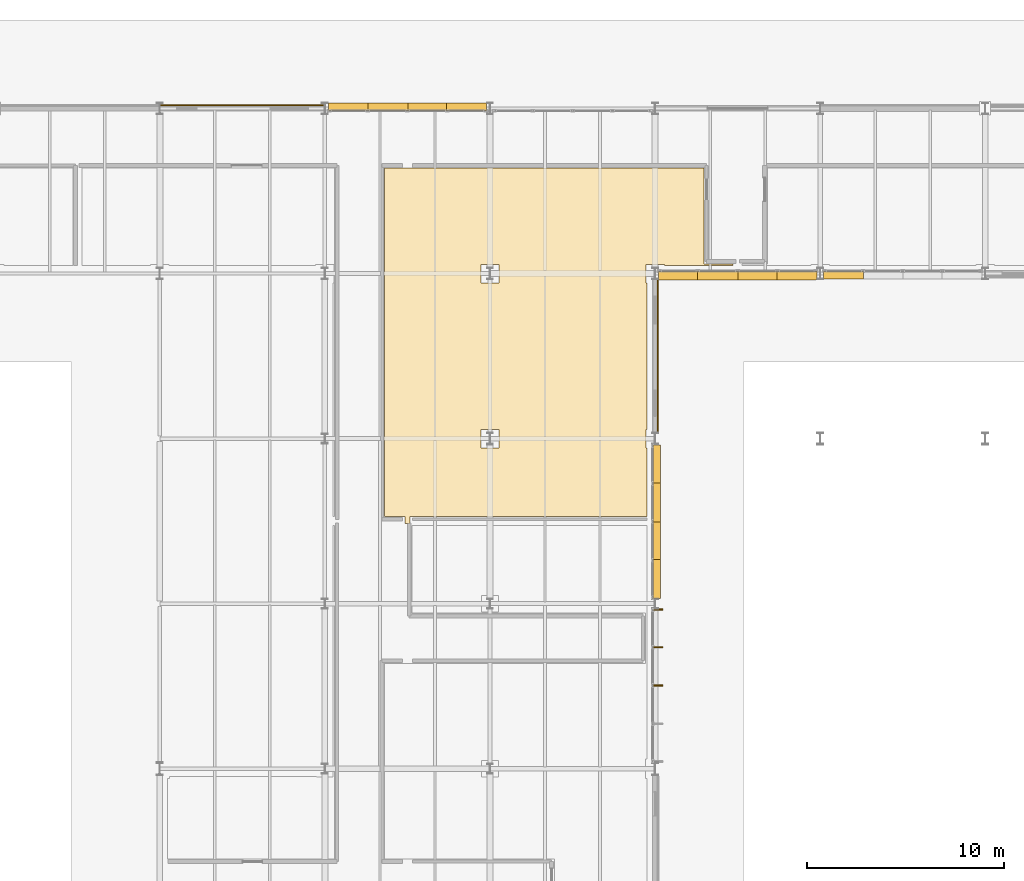
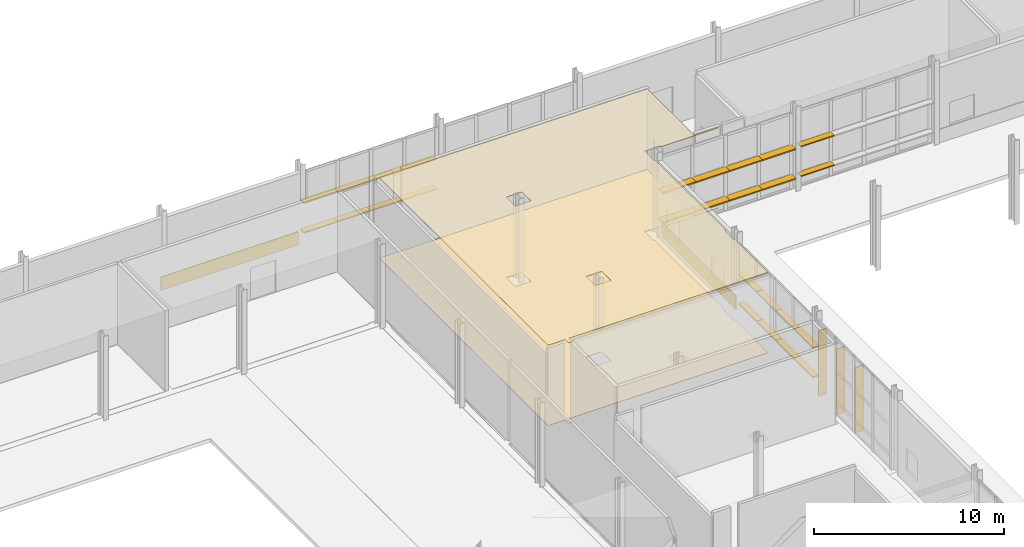
# One storey, part 115 of 124: 29 shading devices, 4 coverings.
"""IFC4 building model written with IfcOpenShell, lengths in metres."""

from ifc_helpers import new_model, si_unit, direction, frame, origin, origin_2d, place, context, subcontext, project, spatial, polyline, rectangle, outline, extrude, material, layer, layer_set, type_object, element, save


model = new_model("IFC4")

# Units and contexts
model_context = context("Model", 3, precision=1e-05, world=origin(), true_north=direction((0.0, 1.0)))
body_context = subcontext(model_context, "Body", "Model", "MODEL_VIEW")
ifc_project = project(units=[si_unit("LENGTHUNIT", "METRE"), si_unit("AREAUNIT", "SQUARE_METRE"), si_unit("VOLUMEUNIT", "CUBIC_METRE"), si_unit("PLANEANGLEUNIT", "RADIAN"), si_unit("MASSUNIT", "GRAM", prefix="KILO")], contexts=[model_context])

# Site, building, storey
site_placement = place(None, origin())
site = spatial("IfcSite", under=ifc_project, at=site_placement, CompositionType="ELEMENT")
building_placement = place(site_placement, origin())
building = spatial("IfcBuilding", under=site, at=building_placement, Name="Mersafa Astral City Hall", CompositionType="ELEMENT")
storey_placement = place(building_placement, origin())
storey = spatial("IfcBuildingStorey", under=building, at=storey_placement, Name="L00", CompositionType="ELEMENT", Elevation=0.0)

# Coverings
ifc_material_1 = material(Name="Cairo Mokattam buff limestone cladding", Category="masonry")
ifc_layer_1 = layer(ifc_material_1, 0.06005859375, Name="Cairo Mokattam buff limestone cladding")
ifc_layer_set_1 = layer_set([ifc_layer_1], Name="Cairo Mokattam buff limestone cladding — ENV-COV-LIMESTONE-60")
covering_type_1 = type_object("IfcCoveringType", Name="ENV-COV-LIMESTONE-60", PredefinedType="CLADDING", material=ifc_layer_set_1)
covering_1_placement = place(storey_placement, frame((117.739501953125, 113.39990234375, 0.0), z_axis=(0.0, 0.0, 1.0), x_axis=(0.0, 1.0, 0.0)))
element("IfcCovering", 1, at=covering_1_placement, inside=storey, type_object=covering_type_1, Name="L00 Cairo buff limestone rainscreen cladding 19", PredefinedType="CLADDING", context=body_context, shape_type="SweptSolid", body=[
    extrude(rectangle(XDim=7.748046875, YDim=0.06005859375, at=origin_2d()), origin(), (0.0, 0.0, 1.0), 0.860107421875),
])
covering_2_placement = place(storey_placement, frame((96.60009765625, 126.154541015625, 0.0), z_axis=(0.0, 0.0, 1.0), x_axis=(-1.0, 0.0, 0.0)))
element("IfcCovering", 2, at=covering_2_placement, inside=storey, type_object=covering_type_1, Name="L00 Cairo buff limestone rainscreen cladding 37", PredefinedType="CLADDING", context=body_context, shape_type="SweptSolid", body=[
    extrude(rectangle(XDim=8.323974609375, YDim=0.06005859375, at=origin_2d()), origin(), (0.0, 0.0, 1.0), 0.860107421875),
])

# Shading devices
ifc_material_2 = material(Name="Anodised bronze aluminium solar fin", Category="aluminium")
shading_device_type_1 = type_object("IfcShadingDeviceType", Name="ENV-SHD-FIN-500B", PredefinedType="USERDEFINED", material=ifc_material_2)
for number, where, z_axis, x_axis, name in (
    (3, (117.7451171875, 96.637451171875, -0.01513671875), (0.0, 0.0, 1.0), (0.0, 1.0, 0.0), "L00 Vertical bronze solar fin 74"),
    (4, (117.7451171875, 98.587646484375, -0.01513671875), (0.0, 0.0, 1.0), (0.0, 1.0, 0.0), "L00 Vertical bronze solar fin 75"),
    (5, (117.7451171875, 100.508056640625, -0.01513671875), (0.0, 0.0, 1.0), (0.0, 1.0, 0.0), "L00 Vertical bronze solar fin 76"),
):
    element("IfcShadingDevice", number, at=place(storey_placement, frame(where, z_axis=z_axis, x_axis=x_axis)), inside=storey, type_object=shading_device_type_1, Name=name, ObjectType="FIN", PredefinedType="USERDEFINED", context=body_context, shape_type="SweptSolid", body=[
        extrude(rectangle(XDim=0.06005859375, YDim=0.5, at=origin_2d()), origin(), (0.0, 0.0, 1.0), 4.199951171875),
    ])
ifc_material_3 = material(Name="Kiln-dried cedar timber brise-soleil blade", Category="wood")
shading_device_type_2 = type_object("IfcShadingDeviceType", Name="ENV-SHD-LOUVRE-380", PredefinedType="JALOUSIE", material=ifc_material_3)
shading_device_1_placement = place(storey_placement, frame((117.679931640625, 102.055419921875, 0.81494140625), z_axis=(0.0, 0.0, 1.0), x_axis=(0.0, 1.0, 0.0)))
element("IfcShadingDevice", 6, at=shading_device_1_placement, inside=storey, type_object=shading_device_type_2, Name="L00 Horizontal cedar brise-soleil louvre 77", PredefinedType="JALOUSIE", context=body_context, shape_type="SweptSolid", body=[
    extrude(rectangle(XDim=1.966552734375, YDim=0.3798828125, at=origin_2d()), origin(), (0.0, 0.0, 1.0), 0.070068359375),
])
for number, where, z_axis, x_axis, name in (
    (7, (117.679931640625, 103.996826171875, 0.81494140625), (0.0, 0.0, 1.0), (0.0, 1.0, 0.0), "L00 Horizontal cedar brise-soleil louvre 78"),
    (8, (117.679931640625, 105.953125, 0.81494140625), (0.0, 0.0, 1.0), (0.0, 1.0, 0.0), "L00 Horizontal cedar brise-soleil louvre 79"),
):
    element("IfcShadingDevice", number, at=place(storey_placement, frame(where, z_axis=z_axis, x_axis=x_axis)), inside=storey, type_object=shading_device_type_2, Name=name, PredefinedType="JALOUSIE", context=body_context, shape_type="SweptSolid", body=[
        extrude(rectangle(XDim=1.99658203125, YDim=0.3798828125, at=origin_2d()), origin(), (0.0, 0.0, 1.0), 0.070068359375),
    ])
for number, where, z_axis, x_axis, name in (
    (9, (117.679931640625, 107.894775390625, 0.81494140625), (0.0, 0.0, 1.0), (0.0, 1.0, 0.0), "L00 Horizontal cedar brise-soleil louvre 80"),
    (10, (117.679931640625, 102.055419921875, 2.71484375), (0.0, 0.0, 1.0), (0.0, 1.0, 0.0), "L00 Horizontal cedar brise-soleil louvre 81"),
):
    element("IfcShadingDevice", number, at=place(storey_placement, frame(where, z_axis=z_axis, x_axis=x_axis)), inside=storey, type_object=shading_device_type_2, Name=name, PredefinedType="JALOUSIE", context=body_context, shape_type="SweptSolid", body=[
        extrude(rectangle(XDim=1.966552734375, YDim=0.3798828125, at=origin_2d()), origin(), (0.0, 0.0, 1.0), 0.070068359375),
    ])
for number, where, z_axis, x_axis, name in (
    (11, (117.679931640625, 103.996826171875, 2.71484375), (0.0, 0.0, 1.0), (0.0, 1.0, 0.0), "L00 Horizontal cedar brise-soleil louvre 82"),
    (12, (117.679931640625, 105.953125, 2.71484375), (0.0, 0.0, 1.0), (0.0, 1.0, 0.0), "L00 Horizontal cedar brise-soleil louvre 83"),
):
    element("IfcShadingDevice", number, at=place(storey_placement, frame(where, z_axis=z_axis, x_axis=x_axis)), inside=storey, type_object=shading_device_type_2, Name=name, PredefinedType="JALOUSIE", context=body_context, shape_type="SweptSolid", body=[
        extrude(rectangle(XDim=1.99658203125, YDim=0.3798828125, at=origin_2d()), origin(), (0.0, 0.0, 1.0), 0.070068359375),
    ])
shading_device_2_placement = place(storey_placement, frame((117.679931640625, 107.894775390625, 2.71484375), z_axis=(0.0, 0.0, 1.0), x_axis=(0.0, 1.0, 0.0)))
element("IfcShadingDevice", 13, at=shading_device_2_placement, inside=storey, type_object=shading_device_type_2, Name="L00 Horizontal cedar brise-soleil louvre 84", PredefinedType="JALOUSIE", context=body_context, shape_type="SweptSolid", body=[
    extrude(rectangle(XDim=1.966552734375, YDim=0.3798828125, at=origin_2d()), origin(), (0.0, 0.0, 1.0), 0.070068359375),
])
for number, where, z_axis, x_axis, name in (
    (14, (127.1865234375, 117.52001953125, 0.81494140625), (0.0, 0.0, 1.0), (1.0, 0.0, 0.0), "L00 Horizontal cedar brise-soleil louvre 93"),
    (15, (127.1865234375, 117.52001953125, 2.71484375), (0.0, 0.0, 1.0), (1.0, 0.0, 0.0), "L00 Horizontal cedar brise-soleil louvre 97"),
    (16, (108.013427734375, 126.080078125, 0.81494140625), (0.0, 0.0, 1.0), (-1.0, 0.0, 0.0), "L00 Horizontal cedar brise-soleil louvre 206"),
):
    element("IfcShadingDevice", number, at=place(storey_placement, frame(where, z_axis=z_axis, x_axis=x_axis)), inside=storey, type_object=shading_device_type_2, Name=name, PredefinedType="JALOUSIE", context=body_context, shape_type="SweptSolid", body=[
        extrude(rectangle(XDim=2.029052734375, YDim=0.3798828125, at=origin_2d()), origin(), (0.0, 0.0, 1.0), 0.070068359375),
    ])
for number, where, z_axis, x_axis, name in (
    (17, (106.009521484375, 126.080078125, 0.81494140625), (0.0, 0.0, 1.0), (-1.0, 0.0, 0.0), "L00 Horizontal cedar brise-soleil louvre 207"),
    (18, (103.990478515625, 126.080078125, 0.81494140625), (0.0, 0.0, 1.0), (-1.0, 0.0, 0.0), "L00 Horizontal cedar brise-soleil louvre 208"),
):
    element("IfcShadingDevice", number, at=place(storey_placement, frame(where, z_axis=z_axis, x_axis=x_axis)), inside=storey, type_object=shading_device_type_2, Name=name, PredefinedType="JALOUSIE", context=body_context, shape_type="SweptSolid", body=[
        extrude(rectangle(XDim=2.05908203125, YDim=0.3798828125, at=origin_2d()), origin(), (0.0, 0.0, 1.0), 0.070068359375),
    ])
for number, where, z_axis, x_axis, name in (
    (19, (101.986572265625, 126.080078125, 0.81494140625), (0.0, 0.0, 1.0), (-1.0, 0.0, 0.0), "L00 Horizontal cedar brise-soleil louvre 209"),
    (20, (108.013427734375, 126.080078125, 2.71484375), (0.0, 0.0, 1.0), (-1.0, 0.0, 0.0), "L00 Horizontal cedar brise-soleil louvre 210"),
):
    element("IfcShadingDevice", number, at=place(storey_placement, frame(where, z_axis=z_axis, x_axis=x_axis)), inside=storey, type_object=shading_device_type_2, Name=name, PredefinedType="JALOUSIE", context=body_context, shape_type="SweptSolid", body=[
        extrude(rectangle(XDim=2.029052734375, YDim=0.3798828125, at=origin_2d()), origin(), (0.0, 0.0, 1.0), 0.070068359375),
    ])
for number, where, z_axis, x_axis, name in (
    (21, (106.009521484375, 126.080078125, 2.71484375), (0.0, 0.0, 1.0), (-1.0, 0.0, 0.0), "L00 Horizontal cedar brise-soleil louvre 211"),
    (22, (103.990478515625, 126.080078125, 2.71484375), (0.0, 0.0, 1.0), (-1.0, 0.0, 0.0), "L00 Horizontal cedar brise-soleil louvre 212"),
):
    element("IfcShadingDevice", number, at=place(storey_placement, frame(where, z_axis=z_axis, x_axis=x_axis)), inside=storey, type_object=shading_device_type_2, Name=name, PredefinedType="JALOUSIE", context=body_context, shape_type="SweptSolid", body=[
        extrude(rectangle(XDim=2.05908203125, YDim=0.3798828125, at=origin_2d()), origin(), (0.0, 0.0, 1.0), 0.070068359375),
    ])
shading_device_3_placement = place(storey_placement, frame((101.986572265625, 126.080078125, 2.71484375), z_axis=(0.0, 0.0, 1.0), x_axis=(-1.0, 0.0, 0.0)))
element("IfcShadingDevice", 23, at=shading_device_3_placement, inside=storey, type_object=shading_device_type_2, Name="L00 Horizontal cedar brise-soleil louvre 213", PredefinedType="JALOUSIE", context=body_context, shape_type="SweptSolid", body=[
    extrude(rectangle(XDim=2.029052734375, YDim=0.3798828125, at=origin_2d()), origin(), (0.0, 0.0, 1.0), 0.070068359375),
])
shading_device_type_3 = type_object("IfcShadingDeviceType", Name="ENV-SHD-LOUVRE-450", PredefinedType="JALOUSIE", material=ifc_material_3)
shading_device_4_placement = place(storey_placement, frame((118.78662109375, 117.485107421875, 0.81005859375), z_axis=(0.0, 0.0, 1.0), x_axis=(1.0, 0.0, 0.0)))
element("IfcShadingDevice", 24, at=shading_device_4_placement, inside=storey, type_object=shading_device_type_3, Name="L00 Horizontal cedar brise-soleil louvre 85", PredefinedType="JALOUSIE", context=body_context, shape_type="SweptSolid", body=[
    extrude(rectangle(XDim=2.029052734375, YDim=0.449951171875, at=origin_2d()), origin(), (0.0, 0.0, 1.0), 0.080078125),
])
for number, where, z_axis, x_axis, name in (
    (25, (120.79052734375, 117.485107421875, 0.81005859375), (0.0, 0.0, 1.0), (1.0, 0.0, 0.0), "L00 Horizontal cedar brise-soleil louvre 86"),
    (26, (122.8095703125, 117.485107421875, 0.81005859375), (0.0, 0.0, 1.0), (1.0, 0.0, 0.0), "L00 Horizontal cedar brise-soleil louvre 87"),
):
    element("IfcShadingDevice", number, at=place(storey_placement, frame(where, z_axis=z_axis, x_axis=x_axis)), inside=storey, type_object=shading_device_type_3, Name=name, PredefinedType="JALOUSIE", context=body_context, shape_type="SweptSolid", body=[
        extrude(rectangle(XDim=2.05908203125, YDim=0.449951171875, at=origin_2d()), origin(), (0.0, 0.0, 1.0), 0.080078125),
    ])
for number, where, z_axis, x_axis, name in (
    (27, (124.8134765625, 117.485107421875, 0.81005859375), (0.0, 0.0, 1.0), (1.0, 0.0, 0.0), "L00 Horizontal cedar brise-soleil louvre 88"),
    (28, (118.78662109375, 117.485107421875, 2.7099609375), (0.0, 0.0, 1.0), (1.0, 0.0, 0.0), "L00 Horizontal cedar brise-soleil louvre 89"),
):
    element("IfcShadingDevice", number, at=place(storey_placement, frame(where, z_axis=z_axis, x_axis=x_axis)), inside=storey, type_object=shading_device_type_3, Name=name, PredefinedType="JALOUSIE", context=body_context, shape_type="SweptSolid", body=[
        extrude(rectangle(XDim=2.029052734375, YDim=0.449951171875, at=origin_2d()), origin(), (0.0, 0.0, 1.0), 0.080078125),
    ])
for number, where, z_axis, x_axis, name in (
    (29, (120.79052734375, 117.485107421875, 2.7099609375), (0.0, 0.0, 1.0), (1.0, 0.0, 0.0), "L00 Horizontal cedar brise-soleil louvre 90"),
    (30, (122.8095703125, 117.485107421875, 2.7099609375), (0.0, 0.0, 1.0), (1.0, 0.0, 0.0), "L00 Horizontal cedar brise-soleil louvre 91"),
):
    element("IfcShadingDevice", number, at=place(storey_placement, frame(where, z_axis=z_axis, x_axis=x_axis)), inside=storey, type_object=shading_device_type_3, Name=name, PredefinedType="JALOUSIE", context=body_context, shape_type="SweptSolid", body=[
        extrude(rectangle(XDim=2.05908203125, YDim=0.449951171875, at=origin_2d()), origin(), (0.0, 0.0, 1.0), 0.080078125),
    ])
shading_device_5_placement = place(storey_placement, frame((124.8134765625, 117.485107421875, 2.7099609375), z_axis=(0.0, 0.0, 1.0), x_axis=(1.0, 0.0, 0.0)))
element("IfcShadingDevice", 31, at=shading_device_5_placement, inside=storey, type_object=shading_device_type_3, Name="L00 Horizontal cedar brise-soleil louvre 92", PredefinedType="JALOUSIE", context=body_context, shape_type="SweptSolid", body=[
    extrude(rectangle(XDim=2.029052734375, YDim=0.449951171875, at=origin_2d()), origin(), (0.0, 0.0, 1.0), 0.080078125),
])

# Coverings
ifc_material_4 = material(Name="Slatted cedar timber acoustic baffle ceiling", Category="wood")
ifc_layer_2 = layer(ifc_material_4, 0.034912109375, Name="Slatted cedar timber acoustic baffle ceiling")
ifc_layer_set_2 = layer_set([ifc_layer_2], Name="Slatted cedar timber acoustic baffle ceiling — INT-COV-CEIL-35")
covering_type_2 = type_object("IfcCoveringType", Name="INT-COV-CEIL-35", PredefinedType="CEILING", material=ifc_layer_set_2)
covering_3_placement = place(storey_placement, frame((0.0, 0.0, 5.14599609375)))
element("IfcCovering", 32, at=covering_3_placement, inside=storey, type_object=covering_type_2, Name="L00 Municipal Licensing Counter Hall L00-03 acoustic ceiling", PredefinedType="CEILING", context=body_context, shape_type="SweptSolid", body=[
    extrude(outline(polyline([(117.199951171875, 105.22998046875), (105.1201171875, 105.22998046875), (105.1201171875, 104.8798828125), (104.8798828125, 104.8798828125), (104.8798828125, 105.22998046875), (103.840087890625, 105.22998046875), (103.840087890625, 122.9599609375), (120.080078125, 122.9599609375), (120.080078125, 118.080078125), (121.570068359375, 118.080078125), (121.570068359375, 118.0), (118.070068359375, 118.0), (118.070068359375, 118.070068359375), (117.1298828125, 118.070068359375), (117.1298828125, 117.1298828125), (117.199951171875, 117.1298828125), (117.199951171875, 109.669921875), (117.1298828125, 109.669921875), (117.1298828125, 108.72998046875), (117.199951171875, 108.72998046875), (117.199951171875, 105.22998046875)]), holes=[polyline([(109.669921875, 108.72998046875), (109.669921875, 109.669921875), (108.72998046875, 109.669921875), (108.72998046875, 108.72998046875), (109.669921875, 108.72998046875)]), polyline([(108.72998046875, 117.1298828125), (109.669921875, 117.1298828125), (109.669921875, 118.070068359375), (108.72998046875, 118.070068359375), (108.72998046875, 117.1298828125)])]), origin(), (0.0, 0.0, 1.0), 0.034912109375),
])
ifc_material_5 = material(Name="Honed Cairo limestone terrazzo flooring", Category="masonry")
ifc_layer_3 = layer(ifc_material_5, 0.02001953125, Name="Honed Cairo limestone terrazzo flooring")
ifc_layer_set_3 = layer_set([ifc_layer_3], Name="Honed Cairo limestone terrazzo flooring — INT-COV-FLR-20")
covering_type_3 = type_object("IfcCoveringType", Name="INT-COV-FLR-20", PredefinedType="FLOORING", material=ifc_layer_set_3)
covering_4_placement = place(storey_placement, frame((0.0, 0.0, -0.00146484375)))
element("IfcCovering", 33, at=covering_4_placement, inside=storey, type_object=covering_type_3, Name="L00 Municipal Licensing Counter Hall L00-03 architectural flooring", PredefinedType="FLOORING", context=body_context, shape_type="SweptSolid", body=[
    extrude(outline(polyline([(117.199951171875, 105.22998046875), (105.1201171875, 105.22998046875), (105.1201171875, 104.8798828125), (104.8798828125, 104.8798828125), (104.8798828125, 105.22998046875), (103.840087890625, 105.22998046875), (103.840087890625, 122.9599609375), (120.080078125, 122.9599609375), (120.080078125, 118.080078125), (121.570068359375, 118.080078125), (121.570068359375, 118.0), (118.070068359375, 118.0), (118.070068359375, 118.070068359375), (117.1298828125, 118.070068359375), (117.1298828125, 117.1298828125), (117.199951171875, 117.1298828125), (117.199951171875, 109.669921875), (117.1298828125, 109.669921875), (117.1298828125, 108.72998046875), (117.199951171875, 108.72998046875), (117.199951171875, 105.22998046875)]), holes=[polyline([(109.669921875, 108.72998046875), (109.669921875, 109.669921875), (108.72998046875, 109.669921875), (108.72998046875, 108.72998046875), (109.669921875, 108.72998046875)]), polyline([(108.72998046875, 117.1298828125), (109.669921875, 117.1298828125), (109.669921875, 118.070068359375), (108.72998046875, 118.070068359375), (108.72998046875, 117.1298828125)])]), origin(), (0.0, 0.0, 1.0), 0.02001953125),
])

save(model, "model.ifc")
